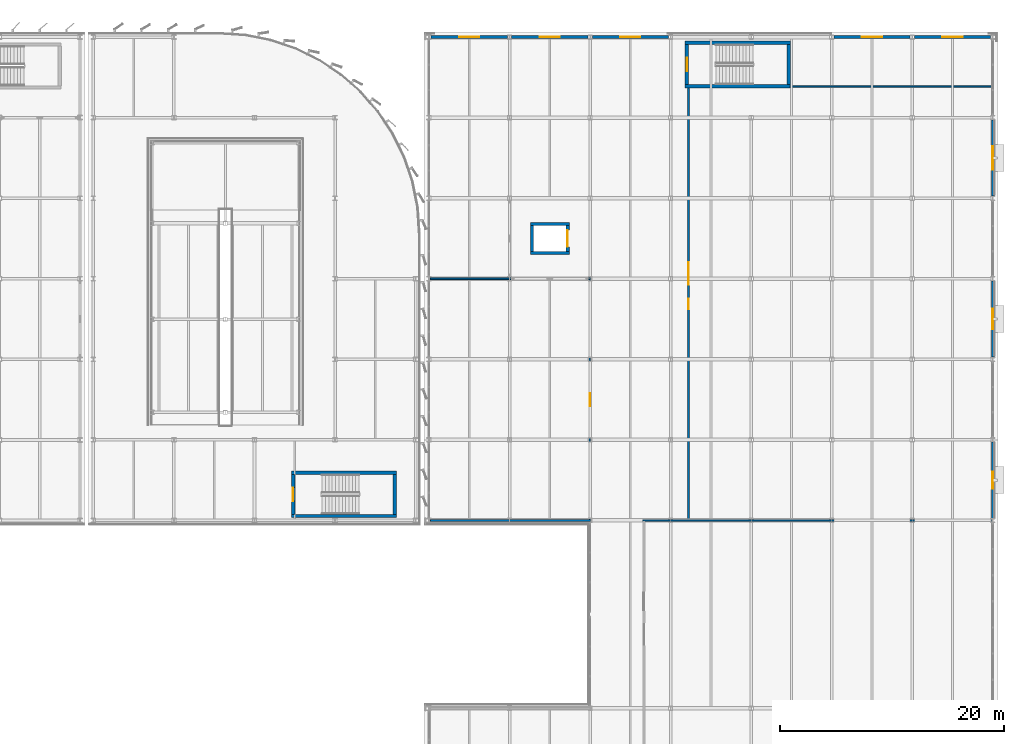
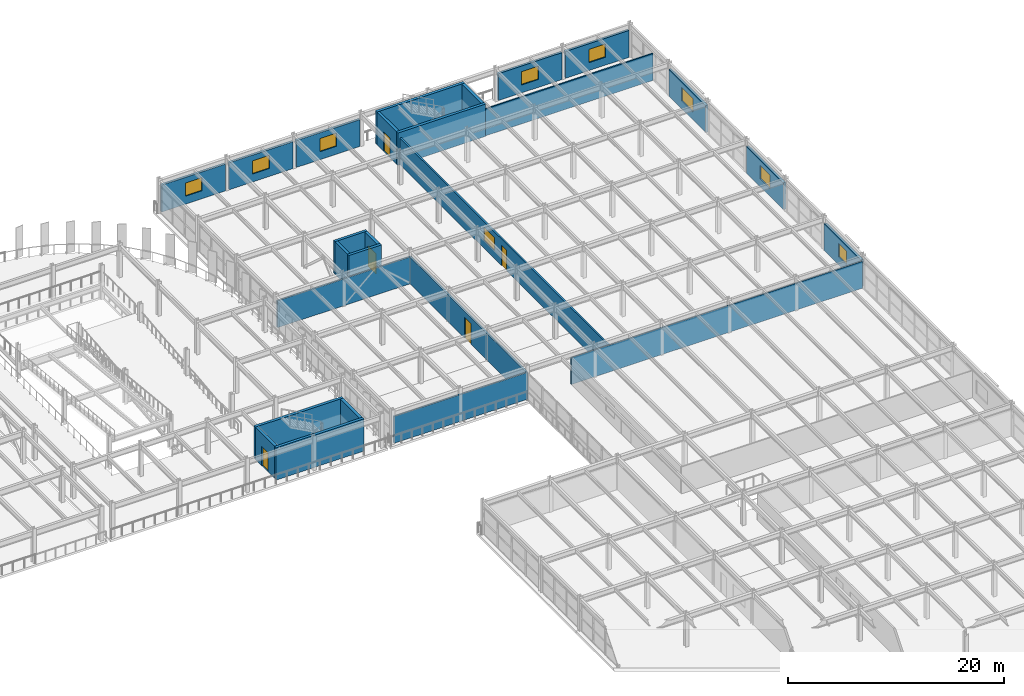
# One storey, part 68 of 93: 26 walls, 9 windows, 5 doors, 14 openings.
"""IFC4 building model written with IfcOpenShell, lengths in metres."""

from ifc_helpers import new_model, si_unit, direction, frame, frame_2d, origin, place, context, subcontext, project, spatial, rectangle, extrude, material, layer, layer_set, type_object, element, fill, save


model = new_model("IFC4")

# Units and contexts
model_context = context("Model", 3, precision=1e-05, world=origin(), true_north=direction((0.0, 1.0)))
body_context = subcontext(model_context, "Body", "Model", "MODEL_VIEW")
ifc_project = project(units=[si_unit("LENGTHUNIT", "METRE"), si_unit("AREAUNIT", "SQUARE_METRE"), si_unit("VOLUMEUNIT", "CUBIC_METRE"), si_unit("PLANEANGLEUNIT", "RADIAN"), si_unit("MASSUNIT", "GRAM", prefix="KILO")], contexts=[model_context])

# Site, building, storey
site_placement = place(None, origin())
site = spatial("IfcSite", under=ifc_project, at=site_placement, CompositionType="ELEMENT")
building_placement = place(site_placement, origin())
building = spatial("IfcBuilding", under=site, at=building_placement, Name="Vaelcorin Mobility Hub", CompositionType="ELEMENT")
storey_placement = place(building_placement, frame((0.0, 0.0, 5.39990234375)))
storey = spatial("IfcBuildingStorey", under=building, at=storey_placement, Name="L01", CompositionType="ELEMENT", Elevation=5.39990234375)

# Walls
ifc_material_1 = material(Name="Reinforced concrete f'c 45 MPa", Category="concrete")
ifc_layer_1 = layer(ifc_material_1, 0.300048828125)
ifc_layer_set_1 = layer_set([ifc_layer_1], Name="Reinforced concrete f'c 45 MPa")
wall_type_1 = type_object("IfcWallType", Name="WL-CORE-300", PredefinedType="SOLIDWALL", material=ifc_layer_set_1)
for number, where, z_axis, x_axis, name in (
    (1, (150.699951171875, 77.199951171875, 0.0), (0.0, 0.0, 1.0), (-1.0, 0.0, 0.0), "ST2 Fire Core Wall L01 South"),
    (2, (141.300048828125, 81.06005859375, 0.0), (0.0, 0.0, 1.0), (1.0, 0.0, 0.0), "ST2 Fire Core Wall L01 North"),
):
    element("IfcWall", number, at=place(storey_placement, frame(where, z_axis=z_axis, x_axis=x_axis)), inside=storey, type_object=wall_type_1, Name=name, PredefinedType="SOLIDWALL", context=body_context, shape_type="SweptSolid", body=[
        extrude(rectangle(XDim=9.39990234375, YDim=0.300048828125, at=frame_2d((4.699951171875, 0.0))), origin(), (0.0, 0.0, 1.0), 3.650146484375),
    ])

# Wall, opening, door
wall_1_placement = place(storey_placement, frame((141.449951171875, 77.35009765625, 0.0), z_axis=(0.0, 0.0, 1.0), x_axis=(0.0, 1.0, 0.0)))
wall_1 = element("IfcWall", 3, at=wall_1_placement, inside=storey, type_object=wall_type_1, Name="ST2 Fire Core Wall L01 West", PredefinedType="SOLIDWALL", context=body_context, shape_type="SweptSolid", body=[
    extrude(rectangle(XDim=3.559814453125, YDim=0.300048828125, at=frame_2d((1.77978515625, 0.0))), origin(), (0.0, 0.0, 1.0), 3.650146484375),
])
opening_1_placement = place(wall_1_placement, frame((1.179931640625, 0.0, 0.0)))
opening_1 = element("IfcOpeningElement", 4, at=opening_1_placement, cuts=wall_1, Name="Opening SD01", PredefinedType="OPENING", context=body_context, shape_type="SweptSolid", body=[
    extrude(rectangle(XDim=1.199951171875, YDim=2.199951171875, at=frame_2d((0.60009765625, 1.10009765625))), frame((0.0, 0.159912109375, 0.0), z_axis=(0.0, -1.0, 0.0), x_axis=(1.0, 0.0, 0.0)), (0.0, 0.0, 1.0), 0.320068359375),
])
ifc_material_2 = material(Name="Hollow-metal insulated steel fire door", Category="steel")
door_type_1 = type_object("IfcDoorType", Name="DR-STAIR-90", OperationType="NOTDEFINED", PredefinedType="DOOR", material=ifc_material_2)
door_1_placement = place(opening_1_placement, origin())
door_1 = element("IfcDoor", 5, at=door_1_placement, inside=storey, type_object=door_type_1, Name="ST2 Protected Stair Door L01", OperationType="SINGLE_SWING_LEFT", OverallHeight=2.199951171875, OverallWidth=1.199951171875, PredefinedType="DOOR", context=body_context, shape_type="SweptSolid", body=[
    extrude(rectangle(XDim=1.199951171875, YDim=2.199951171875, at=frame_2d((0.60009765625, 1.10009765625))), frame((0.0, 0.02490234375, 0.0), z_axis=(0.0, -1.0, 0.0), x_axis=(1.0, 0.0, 0.0)), (0.0, 0.0, 1.0), 0.050048828125),
])
fill(opening_1, door_1)

# Walls
wall_2_placement = place(storey_placement, frame((150.550048828125, 80.909912109375, 0.0), z_axis=(0.0, 0.0, 1.0), x_axis=(0.0, -1.0, 0.0)))
element("IfcWall", 6, at=wall_2_placement, inside=storey, type_object=wall_type_1, Name="ST2 Fire Core Wall L01 East", PredefinedType="SOLIDWALL", context=body_context, shape_type="SweptSolid", body=[
    extrude(rectangle(XDim=3.559814453125, YDim=0.300048828125, at=frame_2d((1.77978515625, 0.0))), origin(), (0.0, 0.0, 1.0), 3.650146484375),
])
for number, where, z_axis, x_axis, name in (
    (7, (185.89990234375, 115.60009765625, 0.0), (0.0, 0.0, 1.0), (-1.0, 0.0, 0.0), "ST6 Fire Core Wall L01 South"),
    (8, (176.5, 119.5, 0.0), (0.0, 0.0, 1.0), (1.0, 0.0, 0.0), "ST6 Fire Core Wall L01 North"),
):
    element("IfcWall", number, at=place(storey_placement, frame(where, z_axis=z_axis, x_axis=x_axis)), inside=storey, type_object=wall_type_1, Name=name, PredefinedType="SOLIDWALL", context=body_context, shape_type="SweptSolid", body=[
        extrude(rectangle(XDim=9.39990234375, YDim=0.300048828125, at=frame_2d((4.699951171875, 0.0))), origin(), (0.0, 0.0, 1.0), 3.670166015625),
    ])

# Wall, opening, door
wall_3_placement = place(storey_placement, frame((176.64990234375, 115.75, 0.0), z_axis=(0.0, 0.0, 1.0), x_axis=(0.0, 1.0, 0.0)))
wall_3 = element("IfcWall", 9, at=wall_3_placement, inside=storey, type_object=wall_type_1, Name="ST6 Fire Core Wall L01 West", PredefinedType="SOLIDWALL", context=body_context, shape_type="SweptSolid", body=[
    extrude(rectangle(XDim=3.60009765625, YDim=0.300048828125, at=frame_2d((1.800048828125, 0.0))), origin(), (0.0, 0.0, 1.0), 3.670166015625),
])
opening_2_placement = place(wall_3_placement, frame((1.199951171875, 0.0, 0.0)))
opening_2 = element("IfcOpeningElement", 10, at=opening_2_placement, cuts=wall_3, Name="Opening SD01", PredefinedType="OPENING", context=body_context, shape_type="SweptSolid", body=[
    extrude(rectangle(XDim=1.199951171875, YDim=2.199951171875, at=frame_2d((0.60009765625, 1.10009765625))), frame((0.0, 0.159912109375, 0.0), z_axis=(0.0, -1.0, 0.0), x_axis=(1.0, 0.0, 0.0)), (0.0, 0.0, 1.0), 0.320068359375),
])
door_2_placement = place(opening_2_placement, origin())
door_2 = element("IfcDoor", 11, at=door_2_placement, inside=storey, type_object=door_type_1, Name="ST6 Protected Stair Door L01", OperationType="SINGLE_SWING_RIGHT", OverallHeight=2.199951171875, OverallWidth=1.199951171875, PredefinedType="DOOR", context=body_context, shape_type="SweptSolid", body=[
    extrude(rectangle(XDim=1.199951171875, YDim=2.199951171875, at=frame_2d((0.60009765625, 1.10009765625))), frame((0.0, 0.02490234375, 0.0), z_axis=(0.0, -1.0, 0.0), x_axis=(1.0, 0.0, 0.0)), (0.0, 0.0, 1.0), 0.050048828125),
])
fill(opening_2, door_2)

# Wall
wall_4_placement = place(storey_placement, frame((185.75, 119.35009765625, 0.0), z_axis=(0.0, 0.0, 1.0), x_axis=(0.0, -1.0, 0.0)))
element("IfcWall", 12, at=wall_4_placement, inside=storey, type_object=wall_type_1, Name="ST6 Fire Core Wall L01 East", PredefinedType="SOLIDWALL", context=body_context, shape_type="SweptSolid", body=[
    extrude(rectangle(XDim=3.60009765625, YDim=0.300048828125, at=frame_2d((1.800048828125, 0.0))), origin(), (0.0, 0.0, 1.0), 3.670166015625),
])

# Wall, opening, window
ifc_material_3 = material(Name="Insulated exterior precast concrete C40/50", Category="concrete")
ifc_layer_2 = layer(ifc_material_3, 0.260009765625)
ifc_layer_set_2 = layer_set([ifc_layer_2], Name="Insulated exterior precast concrete C40/50")
wall_type_2 = type_object("IfcWallType", Name="WL-EXT-260", PredefinedType="STANDARD", material=ifc_layer_set_2)
wall_5_placement = place(storey_placement, frame((204.0, 83.81201171875, 0.0), z_axis=(0.0, 0.0, 1.0), x_axis=(0.0, -1.0, 0.0)))
wall_5 = element("IfcWall", 13, at=wall_5_placement, inside=storey, type_object=wall_type_2, Name="L01 Exterior Wall V5-EW-L01-E-09", PredefinedType="STANDARD", context=body_context, shape_type="SweptSolid", body=[
    extrude(rectangle(XDim=6.823974609375, YDim=0.260009765625, at=frame_2d((3.412109375, 0.0))), origin(), (0.0, 0.0, 1.0), 3.043212890625),
])
opening_3_placement = place(wall_5_placement, frame((2.662109375, 0.0, 0.89990234375)))
opening_3 = element("IfcOpeningElement", 14, at=opening_3_placement, cuts=wall_5, Name="Opening WN13", PredefinedType="OPENING", context=body_context, shape_type="SweptSolid", body=[
    extrude(rectangle(XDim=1.5, YDim=1.5, at=frame_2d((0.75, 0.75))), frame((0.0, 0.139892578125, 0.0), z_axis=(0.0, -1.0, 0.0), x_axis=(1.0, 0.0, 0.0)), (0.0, 0.0, 1.0), 0.280029296875),
])
ifc_material_4 = material(Name="Double-glazed low-E window unit", Category="glass")
window_type_1 = type_object("IfcWindowType", Name="WIN-1500X1500", PartitioningType="SINGLE_PANEL", PredefinedType="WINDOW", material=ifc_material_4)
window_1_placement = place(opening_3_placement, origin())
window_1 = element("IfcWindow", 15, at=window_1_placement, inside=storey, type_object=window_type_1, Name="L01 Window V5-EW-L01-E-09-WN", OverallHeight=1.5, OverallWidth=1.5, PartitioningType="SINGLE_PANEL", PredefinedType="WINDOW", context=body_context, shape_type="SweptSolid", body=[
    extrude(rectangle(XDim=1.5, YDim=1.5, at=frame_2d((0.75, 0.75))), frame((0.0, 0.030029296875, 0.0), z_axis=(0.0, -1.0, 0.0), x_axis=(1.0, 0.0, 0.0)), (0.0, 0.0, 1.0), 0.06005859375),
])
fill(opening_3, window_1)

wall_6_placement = place(storey_placement, frame((204.0, 98.2119140625, 0.0), z_axis=(0.0, 0.0, 1.0), x_axis=(0.0, -1.0, 0.0)))
wall_6 = element("IfcWall", 16, at=wall_6_placement, inside=storey, type_object=wall_type_2, Name="L01 Exterior Wall V5-EW-L01-E-11", PredefinedType="STANDARD", context=body_context, shape_type="SweptSolid", body=[
    extrude(rectangle(XDim=6.823974609375, YDim=0.260009765625, at=frame_2d((3.412109375, 0.0))), origin(), (0.0, 0.0, 1.0), 3.043212890625),
])
opening_4_placement = place(wall_6_placement, frame((2.511962890625, 0.0, 0.89990234375)))
opening_4 = element("IfcOpeningElement", 17, at=opening_4_placement, cuts=wall_6, Name="Opening WN12", PredefinedType="OPENING", context=body_context, shape_type="SweptSolid", body=[
    extrude(rectangle(XDim=1.800048828125, YDim=1.5, at=frame_2d((0.89990234375, 0.75))), frame((0.0, 0.139892578125, 0.0), z_axis=(0.0, -1.0, 0.0), x_axis=(1.0, 0.0, 0.0)), (0.0, 0.0, 1.0), 0.280029296875),
])
window_type_2 = type_object("IfcWindowType", Name="WIN-1800X1500", PartitioningType="SINGLE_PANEL", PredefinedType="WINDOW", material=ifc_material_4)
window_2_placement = place(opening_4_placement, origin())
window_2 = element("IfcWindow", 18, at=window_2_placement, inside=storey, type_object=window_type_2, Name="L01 Window V5-EW-L01-E-11-WN", OverallHeight=1.5, OverallWidth=1.800048828125, PartitioningType="SINGLE_PANEL", PredefinedType="WINDOW", context=body_context, shape_type="SweptSolid", body=[
    extrude(rectangle(XDim=1.800048828125, YDim=1.5, at=frame_2d((0.89990234375, 0.75))), frame((0.0, 0.030029296875, 0.0), z_axis=(0.0, -1.0, 0.0), x_axis=(1.0, 0.0, 0.0)), (0.0, 0.0, 1.0), 0.06005859375),
])
fill(opening_4, window_2)

wall_7_placement = place(storey_placement, frame((204.0, 112.612060546875, 0.0), z_axis=(0.0, 0.0, 1.0), x_axis=(0.0, -1.0, 0.0)))
wall_7 = element("IfcWall", 19, at=wall_7_placement, inside=storey, type_object=wall_type_2, Name="L01 Exterior Wall V5-EW-L01-E-13", PredefinedType="STANDARD", context=body_context, shape_type="SweptSolid", body=[
    extrude(rectangle(XDim=6.823974609375, YDim=0.260009765625, at=frame_2d((3.412109375, 0.0))), origin(), (0.0, 0.0, 1.0), 3.043212890625),
])
opening_5_placement = place(wall_7_placement, frame((2.362060546875, 0.0, 0.89990234375)))
opening_5 = element("IfcOpeningElement", 20, at=opening_5_placement, cuts=wall_7, Name="Opening WN19", PredefinedType="OPENING", context=body_context, shape_type="SweptSolid", body=[
    extrude(rectangle(XDim=2.10009765625, YDim=1.5, at=frame_2d((1.050048828125, 0.75))), frame((0.0, 0.139892578125, 0.0), z_axis=(0.0, -1.0, 0.0), x_axis=(1.0, 0.0, 0.0)), (0.0, 0.0, 1.0), 0.280029296875),
])
window_type_3 = type_object("IfcWindowType", Name="WIN-2100X1500", PartitioningType="SINGLE_PANEL", PredefinedType="WINDOW", material=ifc_material_4)
window_3_placement = place(opening_5_placement, origin())
window_3 = element("IfcWindow", 21, at=window_3_placement, inside=storey, type_object=window_type_3, Name="L01 Window V5-EW-L01-E-13-WN", OverallHeight=1.5, OverallWidth=2.10009765625, PartitioningType="SINGLE_PANEL", PredefinedType="WINDOW", context=body_context, shape_type="SweptSolid", body=[
    extrude(rectangle(XDim=2.10009765625, YDim=1.5, at=frame_2d((1.050048828125, 0.75))), frame((0.0, 0.030029296875, 0.0), z_axis=(0.0, -1.0, 0.0), x_axis=(1.0, 0.0, 0.0)), (0.0, 0.0, 1.0), 0.06005859375),
])
fill(opening_5, window_3)

wall_8_placement = place(storey_placement, frame((153.7939453125, 120.0, 0.0), z_axis=(0.0, 0.0, 1.0), x_axis=(1.0, 0.0, 0.0)))
wall_8 = element("IfcWall", 22, at=wall_8_placement, inside=storey, type_object=wall_type_2, Name="L01 Exterior Wall V5-EW-L01-N-01", PredefinedType="STANDARD", context=body_context, shape_type="SweptSolid", body=[
    extrude(rectangle(XDim=6.81201171875, YDim=0.260009765625, at=frame_2d((3.406005859375, 0.0))), origin(), (0.0, 0.0, 1.0), 3.043212890625),
])
opening_6_placement = place(wall_8_placement, frame((2.506103515625, 0.0, 0.89990234375)))
opening_6 = element("IfcOpeningElement", 23, at=opening_6_placement, cuts=wall_8, Name="Opening WN12", PredefinedType="OPENING", context=body_context, shape_type="SweptSolid", body=[
    extrude(rectangle(XDim=1.800048828125, YDim=1.5, at=frame_2d((0.89990234375, 0.75))), frame((0.0, 0.139892578125, 0.0), z_axis=(0.0, -1.0, 0.0), x_axis=(1.0, 0.0, 0.0)), (0.0, 0.0, 1.0), 0.280029296875),
])
window_4_placement = place(opening_6_placement, origin())
window_4 = element("IfcWindow", 24, at=window_4_placement, inside=storey, type_object=window_type_2, Name="L01 Window V5-EW-L01-N-01-WN", OverallHeight=1.5, OverallWidth=1.800048828125, PartitioningType="SINGLE_PANEL", PredefinedType="WINDOW", context=body_context, shape_type="SweptSolid", body=[
    extrude(rectangle(XDim=1.800048828125, YDim=1.5, at=frame_2d((0.89990234375, 0.75))), frame((0.0, 0.030029296875, 0.0), z_axis=(0.0, -1.0, 0.0), x_axis=(1.0, 0.0, 0.0)), (0.0, 0.0, 1.0), 0.06005859375),
])
fill(opening_6, window_4)

wall_9_placement = place(storey_placement, frame((160.993896484375, 120.0, 0.0), z_axis=(0.0, 0.0, 1.0), x_axis=(1.0, 0.0, 0.0)))
wall_9 = element("IfcWall", 25, at=wall_9_placement, inside=storey, type_object=wall_type_2, Name="L01 Exterior Wall V5-EW-L01-N-02", PredefinedType="STANDARD", context=body_context, shape_type="SweptSolid", body=[
    extrude(rectangle(XDim=6.81201171875, YDim=0.260009765625, at=frame_2d((3.406005859375, 0.0))), origin(), (0.0, 0.0, 1.0), 3.043212890625),
])
opening_7_placement = place(wall_9_placement, frame((2.506103515625, 0.0, 0.89990234375)))
opening_7 = element("IfcOpeningElement", 26, at=opening_7_placement, cuts=wall_9, Name="Opening WN12", PredefinedType="OPENING", context=body_context, shape_type="SweptSolid", body=[
    extrude(rectangle(XDim=1.800048828125, YDim=1.5, at=frame_2d((0.89990234375, 0.75))), frame((0.0, 0.139892578125, 0.0), z_axis=(0.0, -1.0, 0.0), x_axis=(1.0, 0.0, 0.0)), (0.0, 0.0, 1.0), 0.280029296875),
])
window_5_placement = place(opening_7_placement, origin())
window_5 = element("IfcWindow", 27, at=window_5_placement, inside=storey, type_object=window_type_2, Name="L01 Window V5-EW-L01-N-02-WN", OverallHeight=1.5, OverallWidth=1.800048828125, PartitioningType="SINGLE_PANEL", PredefinedType="WINDOW", context=body_context, shape_type="SweptSolid", body=[
    extrude(rectangle(XDim=1.800048828125, YDim=1.5, at=frame_2d((0.89990234375, 0.75))), frame((0.0, 0.030029296875, 0.0), z_axis=(0.0, -1.0, 0.0), x_axis=(1.0, 0.0, 0.0)), (0.0, 0.0, 1.0), 0.06005859375),
])
fill(opening_7, window_5)

wall_10_placement = place(storey_placement, frame((168.194091796875, 120.0, 0.0), z_axis=(0.0, 0.0, 1.0), x_axis=(1.0, 0.0, 0.0)))
wall_10 = element("IfcWall", 28, at=wall_10_placement, inside=storey, type_object=wall_type_2, Name="L01 Exterior Wall V5-EW-L01-N-03", PredefinedType="STANDARD", context=body_context, shape_type="SweptSolid", body=[
    extrude(rectangle(XDim=6.81201171875, YDim=0.260009765625, at=frame_2d((3.406005859375, 0.0))), origin(), (0.0, 0.0, 1.0), 3.043212890625),
])
opening_8_placement = place(wall_10_placement, frame((2.506103515625, 0.0, 0.89990234375)))
opening_8 = element("IfcOpeningElement", 29, at=opening_8_placement, cuts=wall_10, Name="Opening WN12", PredefinedType="OPENING", context=body_context, shape_type="SweptSolid", body=[
    extrude(rectangle(XDim=1.800048828125, YDim=1.5, at=frame_2d((0.89990234375, 0.75))), frame((0.0, 0.139892578125, 0.0), z_axis=(0.0, -1.0, 0.0), x_axis=(1.0, 0.0, 0.0)), (0.0, 0.0, 1.0), 0.280029296875),
])
window_6_placement = place(opening_8_placement, origin())
window_6 = element("IfcWindow", 30, at=window_6_placement, inside=storey, type_object=window_type_2, Name="L01 Window V5-EW-L01-N-03-WN", OverallHeight=1.5, OverallWidth=1.800048828125, PartitioningType="SINGLE_PANEL", PredefinedType="WINDOW", context=body_context, shape_type="SweptSolid", body=[
    extrude(rectangle(XDim=1.800048828125, YDim=1.5, at=frame_2d((0.89990234375, 0.75))), frame((0.0, 0.030029296875, 0.0), z_axis=(0.0, -1.0, 0.0), x_axis=(1.0, 0.0, 0.0)), (0.0, 0.0, 1.0), 0.06005859375),
])
fill(opening_8, window_6)

wall_11_placement = place(storey_placement, frame((189.7939453125, 120.0, 0.0), z_axis=(0.0, 0.0, 1.0), x_axis=(1.0, 0.0, 0.0)))
wall_11 = element("IfcWall", 31, at=wall_11_placement, inside=storey, type_object=wall_type_2, Name="L01 Exterior Wall V5-EW-L01-N-06", PredefinedType="STANDARD", context=body_context, shape_type="SweptSolid", body=[
    extrude(rectangle(XDim=6.81201171875, YDim=0.260009765625, at=frame_2d((3.406005859375, 0.0))), origin(), (0.0, 0.0, 1.0), 3.043212890625),
])
opening_9_placement = place(wall_11_placement, frame((2.506103515625, 0.0, 0.89990234375)))
opening_9 = element("IfcOpeningElement", 32, at=opening_9_placement, cuts=wall_11, Name="Opening WN12", PredefinedType="OPENING", context=body_context, shape_type="SweptSolid", body=[
    extrude(rectangle(XDim=1.800048828125, YDim=1.5, at=frame_2d((0.89990234375, 0.75))), frame((0.0, 0.139892578125, 0.0), z_axis=(0.0, -1.0, 0.0), x_axis=(1.0, 0.0, 0.0)), (0.0, 0.0, 1.0), 0.280029296875),
])
window_7_placement = place(opening_9_placement, origin())
window_7 = element("IfcWindow", 33, at=window_7_placement, inside=storey, type_object=window_type_2, Name="L01 Window V5-EW-L01-N-06-WN", OverallHeight=1.5, OverallWidth=1.800048828125, PartitioningType="SINGLE_PANEL", PredefinedType="WINDOW", context=body_context, shape_type="SweptSolid", body=[
    extrude(rectangle(XDim=1.800048828125, YDim=1.5, at=frame_2d((0.89990234375, 0.75))), frame((0.0, 0.030029296875, 0.0), z_axis=(0.0, -1.0, 0.0), x_axis=(1.0, 0.0, 0.0)), (0.0, 0.0, 1.0), 0.06005859375),
])
fill(opening_9, window_7)

wall_12_placement = place(storey_placement, frame((196.993896484375, 120.0, 0.0), z_axis=(0.0, 0.0, 1.0), x_axis=(1.0, 0.0, 0.0)))
wall_12 = element("IfcWall", 34, at=wall_12_placement, inside=storey, type_object=wall_type_2, Name="L01 Exterior Wall V5-EW-L01-N-07", PredefinedType="STANDARD", context=body_context, shape_type="SweptSolid", body=[
    extrude(rectangle(XDim=6.81201171875, YDim=0.260009765625, at=frame_2d((3.406005859375, 0.0))), origin(), (0.0, 0.0, 1.0), 3.043212890625),
])
opening_10_placement = place(wall_12_placement, frame((2.506103515625, 0.0, 0.89990234375)))
opening_10 = element("IfcOpeningElement", 35, at=opening_10_placement, cuts=wall_12, Name="Opening WN12", PredefinedType="OPENING", context=body_context, shape_type="SweptSolid", body=[
    extrude(rectangle(XDim=1.800048828125, YDim=1.5, at=frame_2d((0.89990234375, 0.75))), frame((0.0, 0.139892578125, 0.0), z_axis=(0.0, -1.0, 0.0), x_axis=(1.0, 0.0, 0.0)), (0.0, 0.0, 1.0), 0.280029296875),
])
window_8_placement = place(opening_10_placement, origin())
window_8 = element("IfcWindow", 36, at=window_8_placement, inside=storey, type_object=window_type_2, Name="L01 Window V5-EW-L01-N-07-WN", OverallHeight=1.5, OverallWidth=1.800048828125, PartitioningType="SINGLE_PANEL", PredefinedType="WINDOW", context=body_context, shape_type="SweptSolid", body=[
    extrude(rectangle(XDim=1.800048828125, YDim=1.5, at=frame_2d((0.89990234375, 0.75))), frame((0.0, 0.030029296875, 0.0), z_axis=(0.0, -1.0, 0.0), x_axis=(1.0, 0.0, 0.0)), (0.0, 0.0, 1.0), 0.06005859375),
])
fill(opening_10, window_8)

# Walls
ifc_material_5 = material(Name="Fire-rated acoustic steel-stud gypsum board", Category="steel")
ifc_layer_3 = layer(ifc_material_5, 0.139892578125)
ifc_layer_set_3 = layer_set([ifc_layer_3], Name="Fire-rated acoustic steel-stud gypsum board")
wall_type_3 = type_object("IfcWallType", Name="WL-PART-140", PredefinedType="PARTITIONING", material=ifc_layer_set_3)
wall_13_placement = place(storey_placement, frame((172.719970703125, 76.800048828125, 0.0), z_axis=(0.0, 0.0, 1.0), x_axis=(1.0, 0.0, 0.0)))
element("IfcWall", 37, at=wall_13_placement, inside=storey, type_object=wall_type_3, Name="Bus Operator Rest and Canteen Partition North", PredefinedType="PARTITIONING", context=body_context, shape_type="SweptSolid", body=[
    extrude(rectangle(XDim=31.14794921875, YDim=0.139892578125, at=frame_2d((15.573974609375, 0.0))), origin(), (0.0, 0.0, 1.0), 3.0380859375),
])
ifc_layer_4 = layer(ifc_material_5, 0.14501953125)
ifc_layer_set_4 = layer_set([ifc_layer_4], Name="Fire-rated acoustic steel-stud gypsum board")
wall_type_4 = type_object("IfcWallType", Name="WL-PART-145", PredefinedType="PARTITIONING", material=ifc_layer_set_4)
wall_14_placement = place(storey_placement, frame((185.902099609375, 115.60009765625, 0.0), z_axis=(0.0, 0.0, 1.0), x_axis=(1.0, 0.0, 0.0)))
element("IfcWall", 38, at=wall_14_placement, inside=storey, type_object=wall_type_4, Name="Upper Tier E-Bike Charging Store Partition North", PredefinedType="PARTITIONING", context=body_context, shape_type="SweptSolid", body=[
    extrude(rectangle(XDim=17.9658203125, YDim=0.14501953125, at=frame_2d((8.98291015625, 0.0))), origin(), (0.0, 0.0, 1.0), 3.0380859375),
])
ifc_layer_5 = layer(ifc_material_5, 0.159912109375)
ifc_layer_set_5 = layer_set([ifc_layer_5], Name="Fire-rated acoustic steel-stud gypsum board")
wall_type_5 = type_object("IfcWallType", Name="WL-PART-160", PredefinedType="PARTITIONING", material=ifc_layer_set_5)
wall_15_placement = place(storey_placement, frame((168.080078125, 76.800048828125, 0.0), z_axis=(0.0, 0.0, 1.0), x_axis=(-1.0, 0.0, 0.0)))
element("IfcWall", 39, at=wall_15_placement, inside=storey, type_object=wall_type_5, Name="Operator Locker and Changing Showers Partition South", PredefinedType="PARTITIONING", context=body_context, shape_type="SweptSolid", body=[
    extrude(rectangle(XDim=14.34814453125, YDim=0.159912109375, at=frame_2d((7.174072265625, 0.0))), origin(), (0.0, 0.0, 1.0), 3.0380859375),
])
ifc_layer_6 = layer(ifc_material_5, 0.1650390625)
ifc_layer_set_6 = layer_set([ifc_layer_6], Name="Fire-rated acoustic steel-stud gypsum board")
wall_type_6 = type_object("IfcWallType", Name="WL-PART-165", PredefinedType="PARTITIONING", material=ifc_layer_set_6)
wall_16_placement = place(storey_placement, frame((153.73193359375, 98.39990234375, 0.0), z_axis=(0.0, 0.0, 1.0), x_axis=(1.0, 0.0, 0.0)))
element("IfcWall", 40, at=wall_16_placement, inside=storey, type_object=wall_type_6, Name="Operator Locker and Changing Showers Partition North", PredefinedType="PARTITIONING", context=body_context, shape_type="SweptSolid", body=[
    extrude(rectangle(XDim=14.34814453125, YDim=0.1650390625, at=frame_2d((7.174072265625, 0.0))), origin(), (0.0, 0.0, 1.0), 3.0380859375),
])

# Wall, openings, door, window
ifc_layer_7 = layer(ifc_material_5, 0.18505859375)
ifc_layer_set_7 = layer_set([ifc_layer_7], Name="Fire-rated acoustic steel-stud gypsum board")
wall_type_7 = type_object("IfcWallType", Name="WL-PART-185", PredefinedType="PARTITIONING", material=ifc_layer_set_7)
wall_17_placement = place(storey_placement, frame((176.800048828125, 76.8720703125, 0.0), z_axis=(0.0, 0.0, 1.0), x_axis=(0.0, 1.0, 0.0)))
wall_17 = element("IfcWall", 41, at=wall_17_placement, inside=storey, type_object=wall_type_7, Name="Upper Tier E-Bike Charging Store Partition West", PredefinedType="PARTITIONING", context=body_context, shape_type="SweptSolid", body=[
    extrude(rectangle(XDim=38.575927734375, YDim=0.18505859375, at=frame_2d((19.2880859375, 0.0))), origin(), (0.0, 0.0, 1.0), 3.0380859375),
])
opening_11_placement = place(wall_17_placement, frame((18.81298828125, 0.0, 0.0)))
opening_11 = element("IfcOpeningElement", 42, at=opening_11_placement, cuts=wall_17, Name="Opening ID43", PredefinedType="OPENING", context=body_context, shape_type="SweptSolid", body=[
    extrude(rectangle(XDim=0.949951171875, YDim=2.340087890625, at=frame_2d((0.47509765625, 1.169921875))), frame((0.0, 0.1025390625, 0.0), z_axis=(0.0, -1.0, 0.0), x_axis=(1.0, 0.0, 0.0)), (0.0, 0.0, 1.0), 0.205078125),
])
opening_12_placement = place(wall_17_placement, frame((21.012939453125, 0.0, 0.949951171875)))
opening_12 = element("IfcOpeningElement", 43, at=opening_12_placement, cuts=wall_17, Name="Opening IW-WN15", PredefinedType="OPENING", context=body_context, shape_type="SweptSolid", body=[
    extrude(rectangle(XDim=2.0, YDim=1.449951171875, at=frame_2d((1.0, 0.72509765625))), frame((0.0, 0.1025390625, 0.0), z_axis=(0.0, -1.0, 0.0), x_axis=(1.0, 0.0, 0.0)), (0.0, 0.0, 1.0), 0.205078125),
])
ifc_material_6 = material(Name="Solid-core hardwood fire door assembly", Category="wood")
door_type_2 = type_object("IfcDoorType", Name="DR-INT-43", OperationType="NOTDEFINED", PredefinedType="DOOR", material=ifc_material_6)
door_3_placement = place(opening_11_placement, origin())
door_3 = element("IfcDoor", 44, at=door_3_placement, inside=storey, type_object=door_type_2, Name="Upper Tier E-Bike Charging Store Door", OperationType="SINGLE_SWING_LEFT", OverallHeight=2.340087890625, OverallWidth=0.949951171875, PredefinedType="DOOR", context=body_context, shape_type="SweptSolid", body=[
    extrude(rectangle(XDim=0.949951171875, YDim=2.340087890625, at=frame_2d((0.47509765625, 1.169921875))), frame((0.0, 0.02490234375, 0.0), z_axis=(0.0, -1.0, 0.0), x_axis=(1.0, 0.0, 0.0)), (0.0, 0.0, 1.0), 0.050048828125),
])
fill(opening_11, door_3)
ifc_material_7 = material(Name="Acoustic laminated fire-rated interior glazing", Category="glass")
window_type_4 = type_object("IfcWindowType", Name="WIN-INT-15", PartitioningType="SINGLE_PANEL", PredefinedType="WINDOW", material=ifc_material_7)
window_9_placement = place(opening_12_placement, origin())
window_9 = element("IfcWindow", 45, at=window_9_placement, inside=storey, type_object=window_type_4, Name="Upper Tier E-Bike Charging Store Observation Glazing", OverallHeight=1.449951171875, OverallWidth=2.0, PartitioningType="SINGLE_PANEL", PredefinedType="WINDOW", context=body_context, shape_type="SweptSolid", body=[
    extrude(rectangle(XDim=2.0, YDim=1.449951171875, at=frame_2d((1.0, 0.72509765625))), frame((0.0, 0.030029296875, 0.0), z_axis=(0.0, -1.0, 0.0), x_axis=(1.0, 0.0, 0.0)), (0.0, 0.0, 1.0), 0.06005859375),
])
fill(opening_12, window_9)

# Wall, opening, door
ifc_material_8 = material(Name="Reinforced acoustic concrete masonry C30/37", Category="masonry")
ifc_layer_8 = layer(ifc_material_8, 0.197998046875)
ifc_layer_set_8 = layer_set([ifc_layer_8], Name="Reinforced acoustic concrete masonry C30/37")
wall_type_8 = type_object("IfcWallType", Name="WL-PART-198", PredefinedType="PARTITIONING", material=ifc_layer_set_8)
wall_18_placement = place(storey_placement, frame((168.0, 98.31591796875, 0.0), z_axis=(0.0, 0.0, 1.0), x_axis=(0.0, -1.0, 0.0)))
wall_18 = element("IfcWall", 46, at=wall_18_placement, inside=storey, type_object=wall_type_8, Name="Operator Locker and Changing Showers Partition East", PredefinedType="PARTITIONING", context=body_context, shape_type="SweptSolid", body=[
    extrude(rectangle(XDim=21.433837890625, YDim=0.197998046875, at=frame_2d((10.716796875, 0.0))), origin(), (0.0, 0.0, 1.0), 3.0380859375),
])
opening_13_placement = place(wall_18_placement, frame((10.14208984375, 0.0, 0.0)))
opening_13 = element("IfcOpeningElement", 47, at=opening_13_placement, cuts=wall_18, Name="Opening ID45", PredefinedType="OPENING", context=body_context, shape_type="SweptSolid", body=[
    extrude(rectangle(XDim=1.14990234375, YDim=2.340087890625, at=frame_2d((0.574951171875, 1.169921875))), frame((0.0, 0.10888671875, 0.0), z_axis=(0.0, -1.0, 0.0), x_axis=(1.0, 0.0, 0.0)), (0.0, 0.0, 1.0), 0.218017578125),
])
door_type_3 = type_object("IfcDoorType", Name="DR-INT-45", OperationType="NOTDEFINED", PredefinedType="DOOR", material=ifc_material_6)
door_4_placement = place(opening_13_placement, origin())
door_4 = element("IfcDoor", 48, at=door_4_placement, inside=storey, type_object=door_type_3, Name="Operator Locker and Changing Showers Door", OperationType="SINGLE_SWING_LEFT", OverallHeight=2.340087890625, OverallWidth=1.14990234375, PredefinedType="DOOR", context=body_context, shape_type="SweptSolid", body=[
    extrude(rectangle(XDim=1.14990234375, YDim=2.340087890625, at=frame_2d((0.574951171875, 1.169921875))), frame((0.0, 0.02490234375, 0.0), z_axis=(0.0, -1.0, 0.0), x_axis=(1.0, 0.0, 0.0)), (0.0, 0.0, 1.0), 0.050048828125),
])
fill(opening_13, door_4)

# Walls
ifc_layer_9 = layer(ifc_material_1, 0.2900390625)
ifc_layer_set_9 = layer_set([ifc_layer_9], Name="Reinforced concrete f'c 45 MPa")
wall_type_9 = type_object("IfcWallType", Name="WL-SHEAR-290", PredefinedType="SHEAR", material=ifc_layer_set_9)
for number, where, z_axis, x_axis, name in (
    (49, (166.139892578125, 100.705078125, 0.0), (0.0, 0.0, 1.0), (-1.0, 0.0, 0.0), "LF6 Lift Shaft Shear Wall L01 South"),
    (50, (162.659912109375, 103.294921875, 0.0), (0.0, 0.0, 1.0), (1.0, 0.0, 0.0), "LF6 Lift Shaft Shear Wall L01 North"),
):
    element("IfcWall", number, at=place(storey_placement, frame(where, z_axis=z_axis, x_axis=x_axis)), inside=storey, type_object=wall_type_9, Name=name, PredefinedType="SHEAR", context=body_context, shape_type="SweptSolid", body=[
        extrude(rectangle(XDim=3.47998046875, YDim=0.2900390625, at=frame_2d((1.739990234375, 0.0))), origin(), (0.0, 0.0, 1.0), 3.670166015625),
    ])
wall_19_placement = place(storey_placement, frame((162.804931640625, 100.85009765625, 0.0), z_axis=(0.0, 0.0, 1.0), x_axis=(0.0, 1.0, 0.0)))
element("IfcWall", 51, at=wall_19_placement, inside=storey, type_object=wall_type_9, Name="LF6 Lift Shaft Shear Wall L01 West", PredefinedType="SHEAR", context=body_context, shape_type="SweptSolid", body=[
    extrude(rectangle(XDim=2.2998046875, YDim=0.2900390625, at=frame_2d((1.14990234375, 0.0))), origin(), (0.0, 0.0, 1.0), 3.670166015625),
])

# Wall, opening, door
wall_20_placement = place(storey_placement, frame((165.9951171875, 103.14990234375, 0.0), z_axis=(0.0, 0.0, 1.0), x_axis=(0.0, -1.0, 0.0)))
wall_20 = element("IfcWall", 52, at=wall_20_placement, inside=storey, type_object=wall_type_9, Name="LF6 Lift Shaft Shear Wall L01 East", PredefinedType="SHEAR", context=body_context, shape_type="SweptSolid", body=[
    extrude(rectangle(XDim=2.2998046875, YDim=0.2900390625, at=frame_2d((1.14990234375, 0.0))), origin(), (0.0, 0.0, 1.0), 3.670166015625),
])
opening_14_placement = place(wall_20_placement, frame((0.39990234375, 0.0, 0.0)))
opening_14 = element("IfcOpeningElement", 53, at=opening_14_placement, cuts=wall_20, Name="Opening LD4", PredefinedType="OPENING", context=body_context, shape_type="SweptSolid", body=[
    extrude(rectangle(XDim=1.5, YDim=2.300048828125, at=frame_2d((0.75, 1.14990234375))), frame((0.0, 0.155029296875, 0.0), z_axis=(0.0, -1.0, 0.0), x_axis=(1.0, 0.0, 0.0)), (0.0, 0.0, 1.0), 0.31005859375),
])
ifc_material_9 = material(Name="Brushed stainless steel 316L", Category="steel")
door_type_4 = type_object("IfcDoorType", Name="DR-LIFT-LD4", OperationType="NOTDEFINED", PredefinedType="DOOR", material=ifc_material_9)
door_5_placement = place(opening_14_placement, origin())
door_5 = element("IfcDoor", 54, at=door_5_placement, inside=storey, type_object=door_type_4, Name="LF6 Lift Landing Sliding Door L01", OperationType="DOUBLE_DOOR_SLIDING", OverallHeight=2.300048828125, OverallWidth=1.5, PredefinedType="DOOR", context=body_context, shape_type="SweptSolid", body=[
    extrude(rectangle(XDim=1.5, YDim=2.300048828125, at=frame_2d((0.75, 1.14990234375))), frame((0.0, 0.02490234375, 0.0), z_axis=(0.0, -1.0, 0.0), x_axis=(1.0, 0.0, 0.0)), (0.0, 0.0, 1.0), 0.050048828125),
])
fill(opening_14, door_5)

save(model, "model.ifc")
